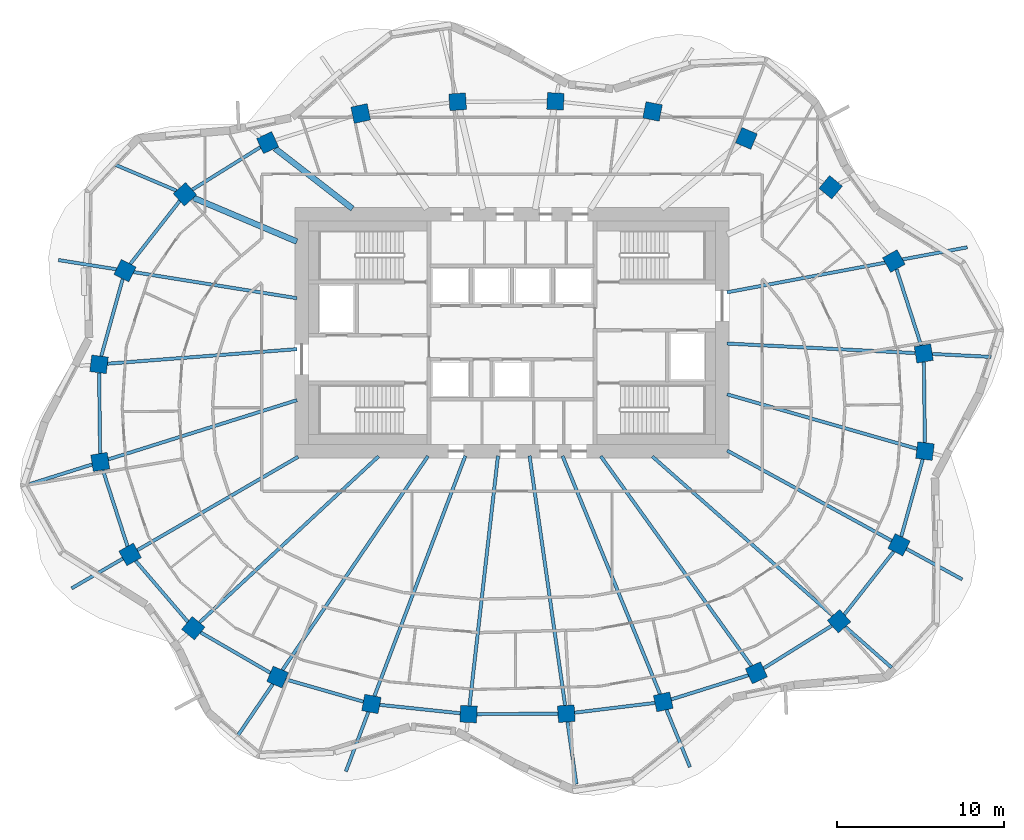
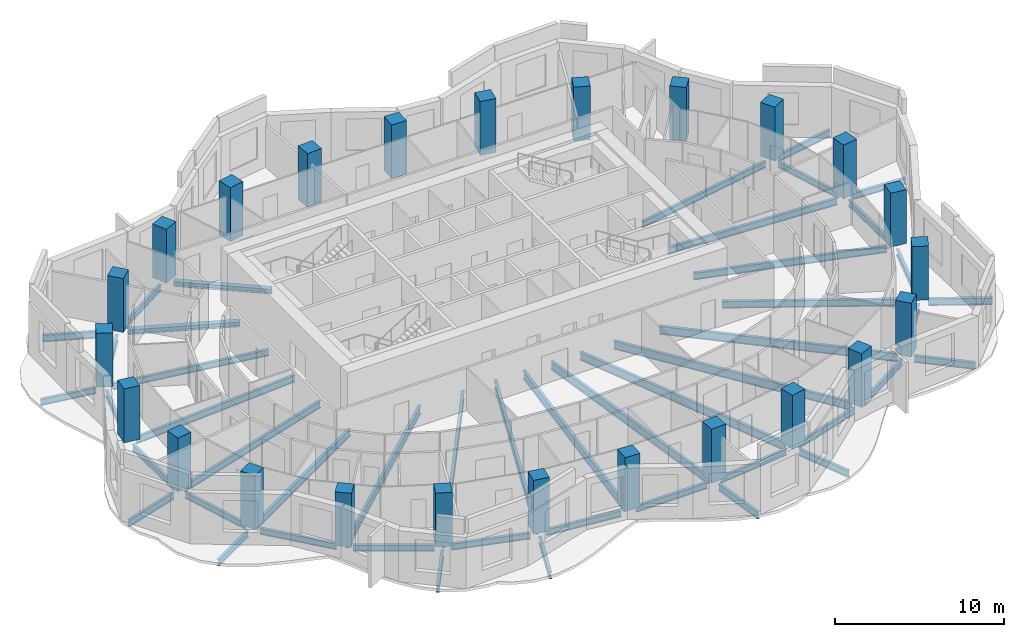
# One storey, part 1 of 12: 47 beams, 24 columns.
"""IFC4 building model written with IfcOpenShell, lengths in metres."""

from ifc_helpers import new_model, si_unit, direction, frame, origin, origin_2d, place, context, subcontext, project, spatial, rectangle, i_section, extrude, material, material_profile, profile_set, type_object, element, save


model = new_model("IFC4")

# Units and contexts
model_context = context("Model", 3, precision=1e-05, world=origin(), true_north=direction((0.0, 1.0)))
body_context = subcontext(model_context, "Body", "Model", "MODEL_VIEW")
ifc_project = project(units=[si_unit("LENGTHUNIT", "METRE"), si_unit("AREAUNIT", "SQUARE_METRE"), si_unit("VOLUMEUNIT", "CUBIC_METRE"), si_unit("PLANEANGLEUNIT", "RADIAN"), si_unit("MASSUNIT", "GRAM", prefix="KILO")], contexts=[model_context])

# Site, building, storey
site_placement = place(None, origin())
site = spatial("IfcSite", under=ifc_project, at=site_placement, CompositionType="ELEMENT")
building_placement = place(site_placement, origin())
building = spatial("IfcBuilding", under=site, at=building_placement, Name="Rubra Terraces Tower", CompositionType="ELEMENT")
storey_placement = place(building_placement, frame((0.0, 0.0, 201.300048828125)))
storey = spatial("IfcBuildingStorey", under=building, at=storey_placement, Name="L49", CompositionType="ELEMENT", Elevation=201.300048828125)

# Columns
ifc_material_1 = material(Name="Concrete C50", Category="concrete")
ifc_material_profile_1 = material_profile(ifc_material_1, rectangle(XDim=1.0, YDim=1.0, at=origin_2d()), Name="RC 1000x1000")
ifc_profile_set_1 = profile_set([ifc_material_profile_1], Name="Concrete C50")
column_type = type_object("IfcColumnType", Name="RING COLUMN RC 1000x1000 C50", PredefinedType="COLUMN", material=ifc_profile_set_1)
for number, where, z_axis, x_axis, name in (
    (1, (24.6689453125, 3.248046875, 0.0), (0.0, 0.0, 1.0), (-0.161559167715, 0.986863027642, 0.0), "column-L49-ring-01"),
    (2, (22.87890625, 8.787109375, 0.0), (0.0, 0.0, 1.0), (-0.48852601316, 0.872549330678, 0.0), "column-L49-ring-02"),
    (3, (19.092041015625, 13.208984375, 0.0), (0.0, 0.0, 1.0), (-0.76886986222, 0.63940529789, 0.0), "column-L49-ring-03"),
    (4, (14.0419921875, 16.135986328125, 0.0), (0.0, 0.0, 1.0), (-0.920167856842, 0.391524092789, 0.0), "column-L49-ring-04"),
    (5, (8.422119140625, 17.7490234375, 0.0), (0.0, 0.0, 1.0), (-0.981654668733, 0.19066754143, 0.0), "column-L49-ring-05"),
    (6, (2.60205078125, 18.35791015625, 0.0), (0.0, 0.0, 1.0), (-0.998764256028, 0.049698700995, 0.0), "column-L49-ring-06"),
    (7, (-3.25390625, 18.330078125, 0.0), (0.0, 0.0, 1.0), (-0.998031548759, -0.062713855578, 0.0), "column-L49-ring-07"),
    (8, (-9.06298828125, 17.625, 0.0), (0.0, 0.0, 1.0), (-0.977652674797, -0.210226657352, 0.0), "column-L49-ring-08"),
    (9, (-14.64306640625, 15.881103515625, 0.0), (0.0, 0.0, 1.0), (-0.908778580451, -0.417278673927, 0.0), "column-L49-ring-09"),
    (10, (-19.593017578125, 12.7900390625, 0.0), (0.0, 0.0, 1.0), (-0.744021317198, -0.668155879683, 0.0), "column-L49-ring-10"),
    (11, (-23.18505859375, 8.2099609375, 0.0), (0.0, 0.0, 1.0), (-0.451027931402, -0.892509834733, 0.0), "column-L49-ring-11"),
    (12, (-24.742919921875, 2.59912109375, 0.0), (0.0, 0.0, 1.0), (-0.128443684554, -0.991716804283, 0.0), "column-L49-ring-12"),
    (13, (-24.6689453125, -3.248046875, 0.0), (0.0, 0.0, 1.0), (0.161559167715, -0.986863027642, 0.0), "column-L49-ring-13"),
    (14, (-22.87890625, -8.787109375, 0.0), (0.0, 0.0, 1.0), (0.48852601316, -0.872549330678, 0.0), "column-L49-ring-14"),
    (15, (-19.092041015625, -13.208984375, 0.0), (0.0, 0.0, 1.0), (0.76886986222, -0.63940529789, 0.0), "column-L49-ring-15"),
    (16, (-14.0419921875, -16.135986328125, 0.0), (0.0, 0.0, 1.0), (0.920167856842, -0.391524092789, 0.0), "column-L49-ring-16"),
    (17, (-8.422119140625, -17.7490234375, 0.0), (0.0, 0.0, 1.0), (0.981654668733, -0.19066754143, 0.0), "column-L49-ring-17"),
    (18, (-2.60205078125, -18.35791015625, 0.0), (0.0, 0.0, 1.0), (0.998764256028, -0.049698700995, 0.0), "column-L49-ring-18"),
    (19, (3.25390625, -18.330078125, 0.0), (0.0, 0.0, 1.0), (0.998031548759, 0.062713855578, 0.0), "column-L49-ring-19"),
    (20, (9.06298828125, -17.625, 0.0), (0.0, 0.0, 1.0), (0.977652674797, 0.210226657352, 0.0), "column-L49-ring-20"),
    (21, (14.64306640625, -15.881103515625, 0.0), (0.0, 0.0, 1.0), (0.908778580451, 0.417278673927, 0.0), "column-L49-ring-21"),
    (22, (19.593017578125, -12.7900390625, 0.0), (0.0, 0.0, 1.0), (0.744021317198, 0.668155879683, 0.0), "column-L49-ring-22"),
    (23, (23.18505859375, -8.2099609375, 0.0), (0.0, 0.0, 1.0), (0.451027931402, 0.892509834733, 0.0), "column-L49-ring-23"),
    (24, (24.742919921875, -2.59912109375, 0.0), (0.0, 0.0, 1.0), (0.128443684554, 0.991716804283, 0.0), "column-L49-ring-24"),
):
    element("IfcColumn", number, at=place(storey_placement, frame(where, z_axis=z_axis, x_axis=x_axis)), inside=storey, type_object=column_type, Name=name, PredefinedType="COLUMN", context=body_context, shape_type="SweptSolid", body=[
        extrude(rectangle(XDim=1.0, YDim=1.0, at=origin_2d()), origin(), (0.0, 0.0, 1.0), 3.89990234375),
    ])

# Beams
ifc_material_2 = material(Name="Steel Q355B", Category="steel")
ifc_material_profile_2 = material_profile(ifc_material_2, i_section(OverallWidth=0.198974609375, OverallDepth=0.446044921875, WebThickness=0.008056640625, FlangeThickness=0.011962890625, at=origin_2d()), Name="HN 446x199x8x12")
ifc_profile_set_2 = profile_set([ifc_material_profile_2], Name="Steel Q355B")
beam_type_1 = type_object("IfcBeamType", Name="CANTILEVER BEAM HN 446x199x8x12", PredefinedType="BEAM", material=ifc_profile_set_2)
beam_1_placement = place(storey_placement, frame((25.179931640625, 3.221923828125, -0.423095703125), z_axis=(0.998718184473, -0.050616084437, 0.0), x_axis=(0.050616084437, 0.998718184473, 0.0)))
element("IfcBeam", 25, at=beam_1_placement, inside=storey, type_object=beam_type_1, Name="beam-L49-cant-01", PredefinedType="BEAM", context=body_context, shape_type="SweptSolid", body=[
    extrude(i_section(OverallWidth=0.198974609375, OverallDepth=0.446044921875, WebThickness=0.008056640625, FlangeThickness=0.011962890625, at=origin_2d()), origin(), (0.0, 0.0, 1.0), 3.53564453125),
])
beam_2_placement = place(storey_placement, frame((-23.702880859375, 8.29296875, -0.423095703125), z_axis=(-0.987460993252, 0.157863190158, 0.0), x_axis=(-0.157863190158, -0.987460993252, 0.0)))
element("IfcBeam", 26, at=beam_2_placement, inside=storey, type_object=beam_type_1, Name="beam-L49-cant-11", PredefinedType="BEAM", context=body_context, shape_type="SweptSolid", body=[
    extrude(i_section(OverallWidth=0.198974609375, OverallDepth=0.446044921875, WebThickness=0.008056640625, FlangeThickness=0.011962890625, at=origin_2d()), origin(), (0.0, 0.0, 1.0), 3.515380859375),
])
beam_3_placement = place(storey_placement, frame((-23.31103515625, -9.0380859375, -0.423095703125), z_axis=(-0.864736046466, -0.50222661214, 0.0), x_axis=(0.50222661214, -0.864736046466, 0.0)))
element("IfcBeam", 27, at=beam_3_placement, inside=storey, type_object=beam_type_1, Name="beam-L49-cant-14", PredefinedType="BEAM", context=body_context, shape_type="SweptSolid", body=[
    extrude(i_section(OverallWidth=0.198974609375, OverallDepth=0.446044921875, WebThickness=0.008056640625, FlangeThickness=0.011962890625, at=origin_2d()), origin(), (0.0, 0.0, 1.0), 3.555908203125),
])
ifc_material_profile_3 = material_profile(ifc_material_2, i_section(OverallWidth=0.198974609375, OverallDepth=0.49609375, WebThickness=0.009033203125, FlangeThickness=0.013916015625, at=origin_2d()), Name="HN 496x199x9x14")
ifc_profile_set_3 = profile_set([ifc_material_profile_3], Name="Steel Q355B")
beam_type_2 = type_object("IfcBeamType", Name="CANTILEVER BEAM HN 496x199x9x14", PredefinedType="BEAM", material=ifc_profile_set_3)
beam_4_placement = place(storey_placement, frame((23.39794921875, 8.884033203125, -0.447998046875), z_axis=(0.982865888577, 0.18432212312, 0.0), x_axis=(-0.18432212312, 0.982865888577, 0.0)))
element("IfcBeam", 28, at=beam_4_placement, inside=storey, type_object=beam_type_2, Name="beam-L49-cant-02", PredefinedType="BEAM", context=body_context, shape_type="SweptSolid", body=[
    extrude(i_section(OverallWidth=0.198974609375, OverallDepth=0.49609375, WebThickness=0.009033203125, FlangeThickness=0.013916015625, at=origin_2d()), origin(), (0.0, 0.0, 1.0), 3.94970703125),
])
beam_5_placement = place(storey_placement, frame((-20.10205078125, 13.0048828125, -0.447998046875), z_axis=(-0.920935678628, 0.389714608181, 0.0), x_axis=(-0.389714608181, -0.920935678628, 0.0)))
element("IfcBeam", 29, at=beam_5_placement, inside=storey, type_object=beam_type_2, Name="beam-L49-cant-10", PredefinedType="BEAM", context=body_context, shape_type="SweptSolid", body=[
    extrude(i_section(OverallWidth=0.198974609375, OverallDepth=0.49609375, WebThickness=0.009033203125, FlangeThickness=0.013916015625, at=origin_2d()), origin(), (0.0, 0.0, 1.0), 3.94921875),
])
beam_6_placement = place(storey_placement, frame((-25.15087890625, -3.39892578125, -0.447998046875), z_axis=(-0.954029392864, -0.299713058693, 0.0), x_axis=(0.299713058693, -0.954029392864, 0.0)))
element("IfcBeam", 30, at=beam_6_placement, inside=storey, type_object=beam_type_2, Name="beam-L49-cant-13", PredefinedType="BEAM", context=body_context, shape_type="SweptSolid", body=[
    extrude(i_section(OverallWidth=0.198974609375, OverallDepth=0.49609375, WebThickness=0.009033203125, FlangeThickness=0.013916015625, at=origin_2d()), origin(), (0.0, 0.0, 1.0), 3.9140625),
])
beam_7_placement = place(storey_placement, frame((-14.3291015625, -16.556884765625, -0.447998046875), z_axis=(-0.562402665117, -0.826863496757, 0.0), x_axis=(0.826863496757, -0.562402665117, 0.0)))
element("IfcBeam", 31, at=beam_7_placement, inside=storey, type_object=beam_type_2, Name="beam-L49-cant-16", PredefinedType="BEAM", context=body_context, shape_type="SweptSolid", body=[
    extrude(i_section(OverallWidth=0.198974609375, OverallDepth=0.49609375, WebThickness=0.009033203125, FlangeThickness=0.013916015625, at=origin_2d()), origin(), (0.0, 0.0, 1.0), 3.748046875),
])
beam_8_placement = place(storey_placement, frame((-8.60205078125, -18.222900390625, -0.447998046875), z_axis=(-0.353975284334, -0.935254777096, 0.0), x_axis=(0.935254777096, -0.353975284334, 0.0)))
element("IfcBeam", 32, at=beam_8_placement, inside=storey, type_object=beam_type_2, Name="beam-L49-cant-17", PredefinedType="BEAM", context=body_context, shape_type="SweptSolid", body=[
    extrude(i_section(OverallWidth=0.198974609375, OverallDepth=0.49609375, WebThickness=0.009033203125, FlangeThickness=0.013916015625, at=origin_2d()), origin(), (0.0, 0.0, 1.0), 3.816162109375),
])
beam_9_placement = place(storey_placement, frame((3.324951171875, -18.826904296875, -0.447998046875), z_axis=(0.140976698225, -0.990012914339, 0.0), x_axis=(0.990012914339, 0.140976698225, 0.0)))
element("IfcBeam", 33, at=beam_9_placement, inside=storey, type_object=beam_type_2, Name="beam-L49-cant-19", PredefinedType="BEAM", context=body_context, shape_type="SweptSolid", body=[
    extrude(i_section(OverallWidth=0.198974609375, OverallDepth=0.49609375, WebThickness=0.009033203125, FlangeThickness=0.013916015625, at=origin_2d()), origin(), (0.0, 0.0, 1.0), 3.7666015625),
])
beam_10_placement = place(storey_placement, frame((9.256103515625, -18.094970703125, -0.447998046875), z_axis=(0.378876573118, -0.925447212078, 0.0), x_axis=(0.925447212078, 0.378876573118, 0.0)))
element("IfcBeam", 34, at=beam_10_placement, inside=storey, type_object=beam_type_2, Name="beam-L49-cant-20", PredefinedType="BEAM", context=body_context, shape_type="SweptSolid", body=[
    extrude(i_section(OverallWidth=0.198974609375, OverallDepth=0.49609375, WebThickness=0.009033203125, FlangeThickness=0.013916015625, at=origin_2d()), origin(), (0.0, 0.0, 1.0), 3.705078125),
])
beam_11_placement = place(storey_placement, frame((19.969970703125, -13.123046875, -0.447998046875), z_axis=(0.749812800921, -0.66165003104, 0.0), x_axis=(0.66165003104, 0.749812800921, 0.0)))
element("IfcBeam", 35, at=beam_11_placement, inside=storey, type_object=beam_type_2, Name="beam-L49-cant-22", PredefinedType="BEAM", context=body_context, shape_type="SweptSolid", body=[
    extrude(i_section(OverallWidth=0.198974609375, OverallDepth=0.49609375, WebThickness=0.009033203125, FlangeThickness=0.013916015625, at=origin_2d()), origin(), (0.0, 0.0, 1.0), 3.69677734375),
])
beam_12_placement = place(storey_placement, frame((23.6240234375, -8.449951171875, -0.447998046875), z_axis=(0.876754126766, -0.480938874701, 0.0), x_axis=(0.480938874701, 0.876754126766, 0.0)))
element("IfcBeam", 36, at=beam_12_placement, inside=storey, type_object=beam_type_2, Name="beam-L49-cant-23", PredefinedType="BEAM", context=body_context, shape_type="SweptSolid", body=[
    extrude(i_section(OverallWidth=0.198974609375, OverallDepth=0.49609375, WebThickness=0.009033203125, FlangeThickness=0.013916015625, at=origin_2d()), origin(), (0.0, 0.0, 1.0), 3.8173828125),
])
ifc_material_profile_4 = material_profile(ifc_material_2, i_section(OverallWidth=0.198974609375, OverallDepth=0.446044921875, WebThickness=0.008056640625, FlangeThickness=0.011962890625, at=origin_2d()), Name="HN 446x199x8x12")
ifc_profile_set_4 = profile_set([ifc_material_profile_4], Name="Steel Q355B")
beam_type_3 = type_object("IfcBeamType", Name="FLOOR BEAM HN 446x199x8x12", PredefinedType="BEAM", material=ifc_profile_set_4)
beam_13_placement = place(storey_placement, frame((22.360107421875, 8.68994140625, -0.423095703125), z_axis=(-0.982895681695, -0.18416318553, 0.0), x_axis=(0.18416318553, -0.982895681695, 0.0)))
element("IfcBeam", 37, at=beam_13_placement, inside=storey, type_object=beam_type_3, Name="beam-L49-floor-02", PredefinedType="BEAM", context=body_context, shape_type="SweptSolid", body=[
    extrude(i_section(OverallWidth=0.198974609375, OverallDepth=0.446044921875, WebThickness=0.008056640625, FlangeThickness=0.011962890625, at=origin_2d()), origin(), (0.0, 0.0, 1.0), 9.64306640625),
])
beam_14_placement = place(storey_placement, frame((-22.6669921875, 8.126953125, -0.423095703125), z_axis=(0.987435404133, -0.158023171289, 0.0), x_axis=(0.158023171289, 0.987435404133, 0.0)))
element("IfcBeam", 38, at=beam_14_placement, inside=storey, type_object=beam_type_3, Name="beam-L49-floor-11", PredefinedType="BEAM", context=body_context, shape_type="SweptSolid", body=[
    extrude(i_section(OverallWidth=0.198974609375, OverallDepth=0.446044921875, WebThickness=0.008056640625, FlangeThickness=0.011962890625, at=origin_2d()), origin(), (0.0, 0.0, 1.0), 9.909423828125),
])
ifc_material_profile_5 = material_profile(ifc_material_2, i_section(OverallWidth=0.198974609375, OverallDepth=0.49609375, WebThickness=0.009033203125, FlangeThickness=0.013916015625, at=origin_2d()), Name="HN 496x199x9x14")
ifc_profile_set_5 = profile_set([ifc_material_profile_5], Name="Steel Q355B")
beam_type_4 = type_object("IfcBeamType", Name="FLOOR BEAM HN 496x199x9x14", PredefinedType="BEAM", material=ifc_profile_set_5)
beam_15_placement = place(storey_placement, frame((24.157958984375, 3.27392578125, -0.447998046875), z_axis=(-0.998716228561, 0.050654662269, 0.0), x_axis=(-0.050654662269, -0.998716228561, 0.0)))
element("IfcBeam", 39, at=beam_15_placement, inside=storey, type_object=beam_type_4, Name="beam-L49-floor-01", PredefinedType="BEAM", context=body_context, shape_type="SweptSolid", body=[
    extrude(i_section(OverallWidth=0.198974609375, OverallDepth=0.49609375, WebThickness=0.009033203125, FlangeThickness=0.013916015625, at=origin_2d()), origin(), (0.0, 0.0, 1.0), 11.29248046875),
])
beam_16_placement = place(storey_placement, frame((-24.23388671875, 2.637939453125, -0.447998046875), z_axis=(0.997063306908, 0.076581734234, 0.0), x_axis=(-0.076581734234, 0.997063306908, 0.0)))
element("IfcBeam", 40, at=beam_16_placement, inside=storey, type_object=beam_type_4, Name="beam-L49-floor-12", PredefinedType="BEAM", context=body_context, shape_type="SweptSolid", body=[
    extrude(i_section(OverallWidth=0.198974609375, OverallDepth=0.49609375, WebThickness=0.009033203125, FlangeThickness=0.013916015625, at=origin_2d()), origin(), (0.0, 0.0, 1.0), 11.387451171875),
])
beam_17_placement = place(storey_placement, frame((-24.18701171875, -3.096923828125, -0.447998046875), z_axis=(0.954040699023, 0.299677067204, 0.0), x_axis=(-0.299677067204, 0.954040699023, 0.0)))
element("IfcBeam", 41, at=beam_17_placement, inside=storey, type_object=beam_type_4, Name="beam-L49-floor-13", PredefinedType="BEAM", context=body_context, shape_type="SweptSolid", body=[
    extrude(i_section(OverallWidth=0.198974609375, OverallDepth=0.49609375, WebThickness=0.009033203125, FlangeThickness=0.013916015625, at=origin_2d()), origin(), (0.0, 0.0, 1.0), 11.845458984375),
])
beam_18_placement = place(storey_placement, frame((-22.447021484375, -8.535888671875, -0.447998046875), z_axis=(0.864755491844, 0.502193129508, 0.0), x_axis=(-0.502193129508, 0.864755491844, 0.0)))
element("IfcBeam", 42, at=beam_18_placement, inside=storey, type_object=beam_type_4, Name="beam-L49-floor-14", PredefinedType="BEAM", context=body_context, shape_type="SweptSolid", body=[
    extrude(i_section(OverallWidth=0.198974609375, OverallDepth=0.49609375, WebThickness=0.009033203125, FlangeThickness=0.013916015625, at=origin_2d()), origin(), (0.0, 0.0, 1.0), 11.14306640625),
])
beam_19_placement = place(storey_placement, frame((22.74609375, -7.969970703125, -0.447998046875), z_axis=(-0.876862055903, 0.480742066932, 0.0), x_axis=(-0.480742066932, -0.876862055903, 0.0)))
element("IfcBeam", 43, at=beam_19_placement, inside=storey, type_object=beam_type_4, Name="beam-L49-floor-23", PredefinedType="BEAM", context=body_context, shape_type="SweptSolid", body=[
    extrude(i_section(OverallWidth=0.198974609375, OverallDepth=0.49609375, WebThickness=0.009033203125, FlangeThickness=0.013916015625, at=origin_2d()), origin(), (0.0, 0.0, 1.0), 11.234375),
])
beam_20_placement = place(storey_placement, frame((24.257080078125, -2.4599609375, -0.447998046875), z_axis=(-0.961215754667, 0.275797521707, 0.0), x_axis=(-0.275797521707, -0.961215754667, 0.0)))
element("IfcBeam", 44, at=beam_20_placement, inside=storey, type_object=beam_type_4, Name="beam-L49-floor-24", PredefinedType="BEAM", context=body_context, shape_type="SweptSolid", body=[
    extrude(i_section(OverallWidth=0.198974609375, OverallDepth=0.49609375, WebThickness=0.009033203125, FlangeThickness=0.013916015625, at=origin_2d()), origin(), (0.0, 0.0, 1.0), 11.830810546875),
])
ifc_material_profile_6 = material_profile(ifc_material_2, i_section(OverallWidth=0.198974609375, OverallDepth=0.595947265625, WebThickness=0.010009765625, FlangeThickness=0.014892578125, at=origin_2d()), Name="HN 596x199x10x15")
ifc_profile_set_6 = profile_set([ifc_material_profile_6], Name="Steel Q355B")
beam_type_5 = type_object("IfcBeamType", Name="FLOOR BEAM HN 596x199x10x15", PredefinedType="BEAM", material=ifc_profile_set_6)
beam_21_placement = place(storey_placement, frame((-18.721923828125, -12.865966796875, -0.498046875), z_axis=(0.733130458484, 0.680088031687, 0.0), x_axis=(-0.680088031687, 0.733130458484, 0.0)))
element("IfcBeam", 45, at=beam_21_placement, inside=storey, type_object=beam_type_5, Name="beam-L49-floor-15", PredefinedType="BEAM", context=body_context, shape_type="SweptSolid", body=[
    extrude(i_section(OverallWidth=0.198974609375, OverallDepth=0.595947265625, WebThickness=0.010009765625, FlangeThickness=0.014892578125, at=origin_2d()), origin(), (0.0, 0.0, 1.0), 14.62744140625),
])
beam_22_placement = place(storey_placement, frame((-13.7548828125, -15.715087890625, -0.498046875), z_axis=(0.562545242124, 0.826766503049, 0.0), x_axis=(-0.826766503049, 0.562545242124, 0.0)))
element("IfcBeam", 46, at=beam_22_placement, inside=storey, type_object=beam_type_5, Name="beam-L49-floor-16", PredefinedType="BEAM", context=body_context, shape_type="SweptSolid", body=[
    extrude(i_section(OverallWidth=0.198974609375, OverallDepth=0.595947265625, WebThickness=0.010009765625, FlangeThickness=0.014892578125, at=origin_2d()), origin(), (0.0, 0.0, 1.0), 15.499267578125),
])
beam_23_placement = place(storey_placement, frame((-8.241943359375, -17.27490234375, -0.498046875), z_axis=(0.353955134415, 0.93526240319, 0.0), x_axis=(-0.93526240319, 0.353955134415, 0.0)))
element("IfcBeam", 47, at=beam_23_placement, inside=storey, type_object=beam_type_5, Name="beam-L49-floor-17", PredefinedType="BEAM", context=body_context, shape_type="SweptSolid", body=[
    extrude(i_section(OverallWidth=0.198974609375, OverallDepth=0.595947265625, WebThickness=0.010009765625, FlangeThickness=0.014892578125, at=origin_2d()), origin(), (0.0, 0.0, 1.0), 15.3828125),
])
beam_24_placement = place(storey_placement, frame((-2.544921875, -17.860107421875, -0.498046875), z_axis=(0.113084825914, 0.993585337124, 0.0), x_axis=(-0.993585337124, 0.113084825914, 0.0)))
element("IfcBeam", 48, at=beam_24_placement, inside=storey, type_object=beam_type_5, Name="beam-L49-floor-18", PredefinedType="BEAM", context=body_context, shape_type="SweptSolid", body=[
    extrude(i_section(OverallWidth=0.198974609375, OverallDepth=0.595947265625, WebThickness=0.010009765625, FlangeThickness=0.014892578125, at=origin_2d()), origin(), (0.0, 0.0, 1.0), 15.07568359375),
])
beam_25_placement = place(storey_placement, frame((3.18310546875, -17.8330078125, -0.498046875), z_axis=(-0.141104514479, 0.989994705033, 0.0), x_axis=(-0.989994705033, -0.141104514479, 0.0)))
element("IfcBeam", 49, at=beam_25_placement, inside=storey, type_object=beam_type_5, Name="beam-L49-floor-19", PredefinedType="BEAM", context=body_context, shape_type="SweptSolid", body=[
    extrude(i_section(OverallWidth=0.198974609375, OverallDepth=0.595947265625, WebThickness=0.010009765625, FlangeThickness=0.014892578125, at=origin_2d()), origin(), (0.0, 0.0, 1.0), 15.10302734375),
])
beam_26_placement = place(storey_placement, frame((8.8701171875, -17.155029296875, -0.498046875), z_axis=(-0.379015131933, 0.925390474214, 0.0), x_axis=(-0.925390474214, -0.379015131933, 0.0)))
element("IfcBeam", 50, at=beam_26_placement, inside=storey, type_object=beam_type_5, Name="beam-L49-floor-20", PredefinedType="BEAM", context=body_context, shape_type="SweptSolid", body=[
    extrude(i_section(OverallWidth=0.198974609375, OverallDepth=0.595947265625, WebThickness=0.010009765625, FlangeThickness=0.014892578125, at=origin_2d()), origin(), (0.0, 0.0, 1.0), 15.416259765625),
])
beam_27_placement = place(storey_placement, frame((14.345947265625, -15.467041015625, -0.498046875), z_axis=(-0.583528740197, 0.812092488183, 0.0), x_axis=(-0.812092488183, -0.583528740197, 0.0)))
element("IfcBeam", 51, at=beam_27_placement, inside=storey, type_object=beam_type_5, Name="beam-L49-floor-21", PredefinedType="BEAM", context=body_context, shape_type="SweptSolid", body=[
    extrude(i_section(OverallWidth=0.198974609375, OverallDepth=0.595947265625, WebThickness=0.010009765625, FlangeThickness=0.014892578125, at=origin_2d()), origin(), (0.0, 0.0, 1.0), 15.47119140625),
])
beam_28_placement = place(storey_placement, frame((19.216064453125, -12.45703125, -0.498046875), z_axis=(-0.749823025288, 0.661638444128, 0.0), x_axis=(-0.661638444128, -0.749823025288, 0.0)))
element("IfcBeam", 52, at=beam_28_placement, inside=storey, type_object=beam_type_5, Name="beam-L49-floor-22", PredefinedType="BEAM", context=body_context, shape_type="SweptSolid", body=[
    extrude(i_section(OverallWidth=0.198974609375, OverallDepth=0.595947265625, WebThickness=0.010009765625, FlangeThickness=0.014892578125, at=origin_2d()), origin(), (0.0, 0.0, 1.0), 14.412841796875),
])
ifc_material_profile_7 = material_profile(ifc_material_2, i_section(OverallWidth=0.35009765625, OverallDepth=0.35009765625, WebThickness=0.011962890625, FlangeThickness=0.01904296875, at=origin_2d()), Name="HW 350x350x12x19")
ifc_profile_set_7 = profile_set([ifc_material_profile_7], Name="Steel Q355B")
beam_type_6 = type_object("IfcBeamType", Name="FLOOR BEAM HW 350x350x12x19", PredefinedType="BEAM", material=ifc_profile_set_7)
beam_29_placement = place(storey_placement, frame((-14.197998046875, 15.534912109375, -0.375), z_axis=(0.789548898228, -0.613687654517, 0.0), x_axis=(0.613687654517, 0.789548898228, 0.0)))
element("IfcBeam", 53, at=beam_29_placement, inside=storey, type_object=beam_type_6, Name="beam-L49-floor-09", PredefinedType="BEAM", context=body_context, shape_type="SweptSolid", body=[
    extrude(i_section(OverallWidth=0.35009765625, OverallDepth=0.35009765625, WebThickness=0.011962890625, FlangeThickness=0.01904296875, at=origin_2d()), origin(), (0.0, 0.0, 1.0), 5.880615234375),
])
beam_30_placement = place(storey_placement, frame((-19.083984375, 12.574951171875, -0.375), z_axis=(0.92097476483, -0.38962223056, 0.0), x_axis=(0.38962223056, 0.92097476483, 0.0)))
element("IfcBeam", 54, at=beam_30_placement, inside=storey, type_object=beam_type_6, Name="beam-L49-floor-10", PredefinedType="BEAM", context=body_context, shape_type="SweptSolid", body=[
    extrude(i_section(OverallWidth=0.35009765625, OverallDepth=0.35009765625, WebThickness=0.011962890625, FlangeThickness=0.01904296875, at=origin_2d()), origin(), (0.0, 0.0, 1.0), 6.7265625),
])
ifc_material_profile_8 = material_profile(ifc_material_2, i_section(OverallWidth=0.198974609375, OverallDepth=0.446044921875, WebThickness=0.008056640625, FlangeThickness=0.011962890625, at=origin_2d()), Name="HN 446x199x8x12")
ifc_profile_set_8 = profile_set([ifc_material_profile_8], Name="Steel Q355B")
beam_type_7 = type_object("IfcBeamType", Name="SPANDREL BEAM HN 446x199x8x12", PredefinedType="SPANDREL", material=ifc_profile_set_8)
beam_31_placement = place(storey_placement, frame((24.512939453125, 3.72900390625, -0.423095703125), z_axis=(-0.307359002872, 0.951593633519, 0.0), x_axis=(-0.951593633519, -0.307359002872, 0.0)))
element("IfcBeam", 55, at=beam_31_placement, inside=storey, type_object=beam_type_7, Name="beam-L49-spandrel-01", PredefinedType="SPANDREL", context=body_context, shape_type="SweptSolid", body=[
    extrude(i_section(OverallWidth=0.198974609375, OverallDepth=0.446044921875, WebThickness=0.008056640625, FlangeThickness=0.011962890625, at=origin_2d()), origin(), (0.0, 0.0, 1.0), 4.8056640625),
])
beam_32_placement = place(storey_placement, frame((-15.071044921875, 15.614013671875, -0.423095703125), z_axis=(-0.848183088492, -0.529703170083, 0.0), x_axis=(0.529703170083, -0.848183088492, 0.0)))
element("IfcBeam", 56, at=beam_32_placement, inside=storey, type_object=beam_type_7, Name="beam-L49-spandrel-09", PredefinedType="SPANDREL", context=body_context, shape_type="SweptSolid", body=[
    extrude(i_section(OverallWidth=0.198974609375, OverallDepth=0.446044921875, WebThickness=0.008056640625, FlangeThickness=0.011962890625, at=origin_2d()), origin(), (0.0, 0.0, 1.0), 4.8232421875),
])
beam_33_placement = place(storey_placement, frame((-19.906005859375, 12.39111328125, -0.423095703125), z_axis=(-0.617060338015, -0.786915840004, 0.0), x_axis=(0.786915840004, -0.617060338015, 0.0)))
element("IfcBeam", 57, at=beam_33_placement, inside=storey, type_object=beam_type_7, Name="beam-L49-spandrel-10", PredefinedType="SPANDREL", context=body_context, shape_type="SweptSolid", body=[
    extrude(i_section(OverallWidth=0.198974609375, OverallDepth=0.446044921875, WebThickness=0.008056640625, FlangeThickness=0.011962890625, at=origin_2d()), origin(), (0.0, 0.0, 1.0), 4.8037109375),
])
beam_34_placement = place(storey_placement, frame((-23.321044921875, 7.718994140625, -0.423095703125), z_axis=(-0.267625533012, -0.963523001324, 0.0), x_axis=(0.963523001324, -0.267625533012, 0.0)))
element("IfcBeam", 58, at=beam_34_placement, inside=storey, type_object=beam_type_7, Name="beam-L49-spandrel-11", PredefinedType="SPANDREL", context=body_context, shape_type="SweptSolid", body=[
    extrude(i_section(OverallWidth=0.198974609375, OverallDepth=0.446044921875, WebThickness=0.008056640625, FlangeThickness=0.011962890625, at=origin_2d()), origin(), (0.0, 0.0, 1.0), 4.808349609375),
])
beam_35_placement = place(storey_placement, frame((-24.737060546875, 2.093994140625, -0.423095703125), z_axis=(0.012822047643, -0.999917794168, 0.0), x_axis=(0.999917794168, 0.012822047643, 0.0)))
element("IfcBeam", 59, at=beam_35_placement, inside=storey, type_object=beam_type_7, Name="beam-L49-spandrel-12", PredefinedType="SPANDREL", context=body_context, shape_type="SweptSolid", body=[
    extrude(i_section(OverallWidth=0.198974609375, OverallDepth=0.446044921875, WebThickness=0.008056640625, FlangeThickness=0.011962890625, at=origin_2d()), origin(), (0.0, 0.0, 1.0), 4.83642578125),
])
beam_36_placement = place(storey_placement, frame((-24.512939453125, -3.72900390625, -0.423095703125), z_axis=(0.307359002872, -0.951593633519, 0.0), x_axis=(0.951593633519, 0.307359002872, 0.0)))
element("IfcBeam", 60, at=beam_36_placement, inside=storey, type_object=beam_type_7, Name="beam-L49-spandrel-13", PredefinedType="SPANDREL", context=body_context, shape_type="SweptSolid", body=[
    extrude(i_section(OverallWidth=0.198974609375, OverallDepth=0.446044921875, WebThickness=0.008056640625, FlangeThickness=0.011962890625, at=origin_2d()), origin(), (0.0, 0.0, 1.0), 4.8056640625),
])
beam_37_placement = place(storey_placement, frame((-22.547119140625, -9.174072265625, -0.423095703125), z_axis=(0.650372836218, -0.759615148552, 0.0), x_axis=(0.759615148552, 0.650372836218, 0.0)))
element("IfcBeam", 61, at=beam_37_placement, inside=storey, type_object=beam_type_7, Name="beam-L49-spandrel-14", PredefinedType="SPANDREL", context=body_context, shape_type="SweptSolid", body=[
    extrude(i_section(OverallWidth=0.198974609375, OverallDepth=0.446044921875, WebThickness=0.008056640625, FlangeThickness=0.011962890625, at=origin_2d()), origin(), (0.0, 0.0, 1.0), 4.804931640625),
])
beam_38_placement = place(storey_placement, frame((-18.653076171875, -13.462890625, -0.423095703125), z_axis=(0.865153680787, -0.501506838059, 0.0), x_axis=(0.501506838059, 0.865153680787, 0.0)))
element("IfcBeam", 62, at=beam_38_placement, inside=storey, type_object=beam_type_7, Name="beam-L49-spandrel-15", PredefinedType="SPANDREL", context=body_context, shape_type="SweptSolid", body=[
    extrude(i_section(OverallWidth=0.198974609375, OverallDepth=0.446044921875, WebThickness=0.008056640625, FlangeThickness=0.011962890625, at=origin_2d()), origin(), (0.0, 0.0, 1.0), 4.82568359375),
])
beam_39_placement = place(storey_placement, frame((-13.55810546875, -16.27490234375, -0.423095703125), z_axis=(0.961171164323, -0.275952881621, 0.0), x_axis=(0.275952881621, 0.961171164323, 0.0)))
element("IfcBeam", 63, at=beam_39_placement, inside=storey, type_object=beam_type_7, Name="beam-L49-spandrel-16", PredefinedType="SPANDREL", context=body_context, shape_type="SweptSolid", body=[
    extrude(i_section(OverallWidth=0.198974609375, OverallDepth=0.446044921875, WebThickness=0.008056640625, FlangeThickness=0.011962890625, at=origin_2d()), origin(), (0.0, 0.0, 1.0), 4.842041015625),
])
beam_40_placement = place(storey_placement, frame((-7.923095703125, -17.801025390625, -0.423095703125), z_axis=(0.994565426955, -0.104113454971, 0.0), x_axis=(0.104113454971, 0.994565426955, 0.0)))
element("IfcBeam", 64, at=beam_40_placement, inside=storey, type_object=beam_type_7, Name="beam-L49-spandrel-17", PredefinedType="SPANDREL", context=body_context, shape_type="SweptSolid", body=[
    extrude(i_section(OverallWidth=0.198974609375, OverallDepth=0.446044921875, WebThickness=0.008056640625, FlangeThickness=0.011962890625, at=origin_2d()), origin(), (0.0, 0.0, 1.0), 4.849365234375),
])
beam_41_placement = place(storey_placement, frame((-2.10107421875, -18.35595703125, -0.423095703125), z_axis=(0.999987852299, 0.004929021704, 0.0), x_axis=(-0.004929021704, 0.999987852299, 0.0)))
element("IfcBeam", 65, at=beam_41_placement, inside=storey, type_object=beam_type_7, Name="beam-L49-spandrel-18", PredefinedType="SPANDREL", context=body_context, shape_type="SweptSolid", body=[
    extrude(i_section(OverallWidth=0.198974609375, OverallDepth=0.446044921875, WebThickness=0.008056640625, FlangeThickness=0.011962890625, at=origin_2d()), origin(), (0.0, 0.0, 1.0), 4.85400390625),
])
beam_42_placement = place(storey_placement, frame((3.7509765625, -18.27001953125, -0.423095703125), z_axis=(0.992698018573, 0.120626049929, 0.0), x_axis=(-0.120626049929, 0.992698018573, 0.0)))
element("IfcBeam", 66, at=beam_42_placement, inside=storey, type_object=beam_type_7, Name="beam-L49-spandrel-19", PredefinedType="SPANDREL", context=body_context, shape_type="SweptSolid", body=[
    extrude(i_section(OverallWidth=0.198974609375, OverallDepth=0.446044921875, WebThickness=0.008056640625, FlangeThickness=0.011962890625, at=origin_2d()), origin(), (0.0, 0.0, 1.0), 4.849365234375),
])
beam_43_placement = place(storey_placement, frame((9.5419921875, -17.47509765625, -0.423095703125), z_axis=(0.954462027342, 0.298332429282, 0.0), x_axis=(-0.298332429282, 0.954462027342, 0.0)))
element("IfcBeam", 67, at=beam_43_placement, inside=storey, type_object=beam_type_7, Name="beam-L49-spandrel-20", PredefinedType="SPANDREL", context=body_context, shape_type="SweptSolid", body=[
    extrude(i_section(OverallWidth=0.198974609375, OverallDepth=0.446044921875, WebThickness=0.008056640625, FlangeThickness=0.011962890625, at=origin_2d()), origin(), (0.0, 0.0, 1.0), 4.840576171875),
])
beam_44_placement = place(storey_placement, frame((15.071044921875, -15.614013671875, -0.423095703125), z_axis=(0.848183088492, 0.529703170083, 0.0), x_axis=(-0.529703170083, 0.848183088492, 0.0)))
element("IfcBeam", 68, at=beam_44_placement, inside=storey, type_object=beam_type_7, Name="beam-L49-spandrel-21", PredefinedType="SPANDREL", context=body_context, shape_type="SweptSolid", body=[
    extrude(i_section(OverallWidth=0.198974609375, OverallDepth=0.446044921875, WebThickness=0.008056640625, FlangeThickness=0.011962890625, at=origin_2d()), origin(), (0.0, 0.0, 1.0), 4.8232421875),
])
beam_45_placement = place(storey_placement, frame((19.906005859375, -12.39111328125, -0.423095703125), z_axis=(0.617060338015, 0.786915840004, 0.0), x_axis=(-0.786915840004, 0.617060338015, 0.0)))
element("IfcBeam", 69, at=beam_45_placement, inside=storey, type_object=beam_type_7, Name="beam-L49-spandrel-22", PredefinedType="SPANDREL", context=body_context, shape_type="SweptSolid", body=[
    extrude(i_section(OverallWidth=0.198974609375, OverallDepth=0.446044921875, WebThickness=0.008056640625, FlangeThickness=0.011962890625, at=origin_2d()), origin(), (0.0, 0.0, 1.0), 4.8037109375),
])
beam_46_placement = place(storey_placement, frame((23.321044921875, -7.718994140625, -0.423095703125), z_axis=(0.267625533012, 0.963523001324, 0.0), x_axis=(-0.963523001324, 0.267625533012, 0.0)))
element("IfcBeam", 70, at=beam_46_placement, inside=storey, type_object=beam_type_7, Name="beam-L49-spandrel-23", PredefinedType="SPANDREL", context=body_context, shape_type="SweptSolid", body=[
    extrude(i_section(OverallWidth=0.198974609375, OverallDepth=0.446044921875, WebThickness=0.008056640625, FlangeThickness=0.011962890625, at=origin_2d()), origin(), (0.0, 0.0, 1.0), 4.808349609375),
])
beam_47_placement = place(storey_placement, frame((24.737060546875, -2.093994140625, -0.423095703125), z_axis=(-0.012822047643, 0.999917794168, 0.0), x_axis=(-0.999917794168, -0.012822047643, 0.0)))
element("IfcBeam", 71, at=beam_47_placement, inside=storey, type_object=beam_type_7, Name="beam-L49-spandrel-24", PredefinedType="SPANDREL", context=body_context, shape_type="SweptSolid", body=[
    extrude(i_section(OverallWidth=0.198974609375, OverallDepth=0.446044921875, WebThickness=0.008056640625, FlangeThickness=0.011962890625, at=origin_2d()), origin(), (0.0, 0.0, 1.0), 4.83642578125),
])

save(model, "model.ifc")
